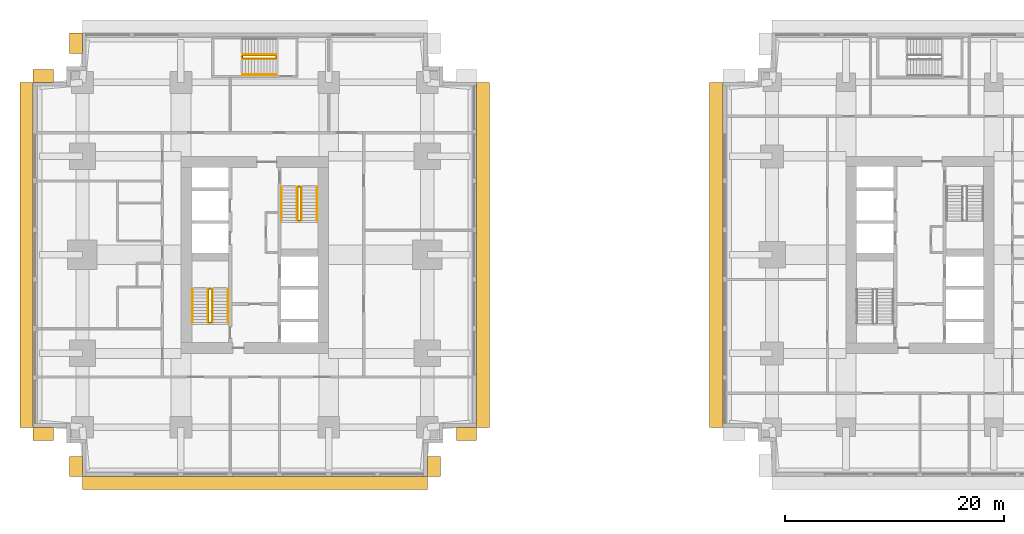
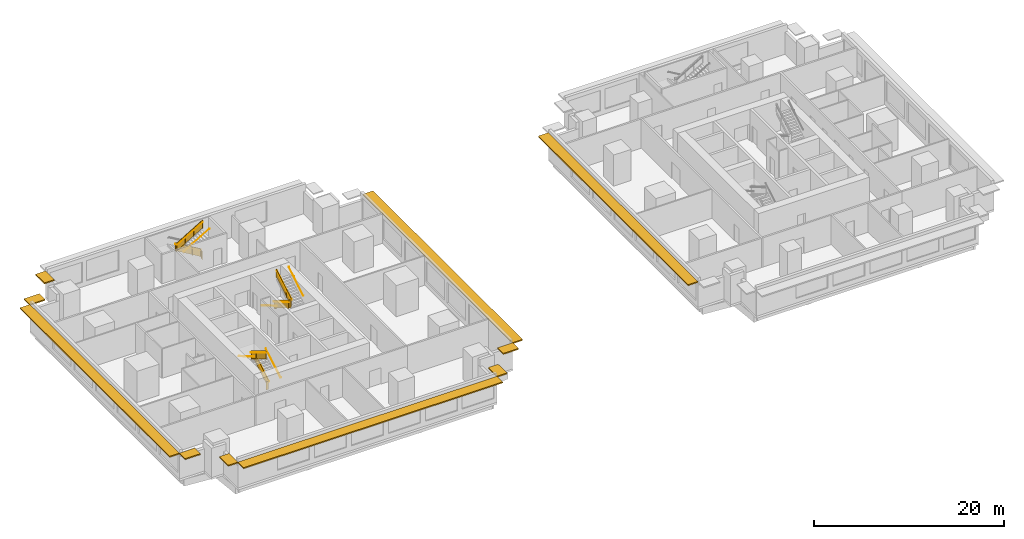
# One storey, part 9 of 11: 14 railings, 10 shading devices.
"""IFC4 building model written with IfcOpenShell, lengths in metres."""

import ifcopenshell
import ifcopenshell.guid

model = None  # the IFC model being written
_history = None  # IfcOwnerHistory: only IFC2X3 demands one
_inside = {}  # id of a spatial element -> (the spatial element, [elements in it])
_under = {}  # id of a project, library or spatial element -> (it, [spatial elements below it])
_declared = {}  # id of a project -> (the project, [libraries it declares])
_typed = {}  # id of a type object -> (the type object, [elements of that type])
_made_of = {}  # id of a material, layer set ... -> (it, [elements and type objects made of it])


def new_model(schema):
    """Start an empty IFC model of exactly this schema.

    Asked for "IFC4X3", IfcOpenShell would pick the latest addendum, in which some entities
    have other attributes; the version numbers below select the first issue.
    IFC2X3 requires an IfcOwnerHistory on every rooted entity: one is made here for all.
    """
    global model, _history
    if schema == "IFC4X3":
        model = ifcopenshell.file(schema_version=(4, 3, 0, 0))
    else:
        model = ifcopenshell.file(schema=schema)
    _inside.clear()
    _under.clear()
    _declared.clear()
    _typed.clear()
    _made_of.clear()
    _history = None
    if model.schema == "IFC2X3":
        org = make("IfcOrganization", Name="unknown")
        user = make(
            "IfcPersonAndOrganization",
            ThePerson=make("IfcPerson", FamilyName="unknown"),
            TheOrganization=org,
        )
        app = make(
            "IfcApplication",
            ApplicationDeveloper=org,
            Version="unknown",
            ApplicationFullName="unknown",
            ApplicationIdentifier="unknown",
        )
        _history = make(
            "IfcOwnerHistory",
            OwningUser=user,
            OwningApplication=app,
            ChangeAction="ADDED",
            CreationDate=0,
        )
    return model


def make(cls, **values):
    """One entity of the class cls with the attributes given. An attribute that is None is left unset."""
    return model.create_entity(
        cls, **{name: value for name, value in values.items() if value is not None}
    )


def rooted(cls, **values):
    """An entity with a GlobalId (a new one), such as an element, a storey or a relation."""
    return make(cls, GlobalId=ifcopenshell.guid.new(), OwnerHistory=_history, **values)


def si_unit(unit_type, name, prefix=None):
    """IfcSIUnit, for example si_unit("LENGTHUNIT", "METRE", prefix="MILLI")."""
    return make("IfcSIUnit", UnitType=unit_type, Prefix=prefix, Name=name)


def assignment(units):
    """IfcUnitAssignment: the units of a project."""
    return None if units is None else make("IfcUnitAssignment", Units=units)


def point(xyz):
    """IfcCartesianPoint."""
    return None if xyz is None else make("IfcCartesianPoint", Coordinates=xyz)


def direction(xyz):
    """IfcDirection."""
    return None if xyz is None else make("IfcDirection", DirectionRatios=xyz)


def frame(location, z_axis=None, x_axis=None):
    """IfcAxis2Placement3D, a coordinate frame: its origin and axes. An axis left out is left unset."""
    return make(
        "IfcAxis2Placement3D",
        Location=point(location),
        Axis=direction(z_axis),
        RefDirection=direction(x_axis),
    )


def frame_2d(location, x_axis=None):
    """IfcAxis2Placement2D, a coordinate frame in the plane: its origin and x axis."""
    return make(
        "IfcAxis2Placement2D", Location=point(location), RefDirection=direction(x_axis)
    )


def origin():
    """The frame at (0, 0, 0) with its axes left unset."""
    return frame((0.0, 0.0, 0.0))


def origin_2d():
    """The frame at (0, 0) in the plane with its x axis left unset."""
    return frame_2d((0.0, 0.0))


def place(relative_to, where):
    """IfcLocalPlacement: puts the frame where relative to a parent placement (None: the world)."""
    return make(
        "IfcLocalPlacement", PlacementRelTo=relative_to, RelativePlacement=where
    )


def context(
    kind, dimensions, precision=None, world=None, true_north=None, identifier=None
):
    """IfcGeometricRepresentationContext, for example the 3D "Model" context."""
    return make(
        "IfcGeometricRepresentationContext",
        ContextIdentifier=identifier,
        ContextType=kind,
        CoordinateSpaceDimension=dimensions,
        Precision=precision,
        WorldCoordinateSystem=world,
        TrueNorth=true_north,
    )


def subcontext(parent, identifier, kind, view, scale=None):
    """IfcGeometricRepresentationSubContext, for example "Body" below "Model"."""
    return make(
        "IfcGeometricRepresentationSubContext",
        ContextIdentifier=identifier,
        ContextType=kind,
        ParentContext=parent,
        TargetScale=scale,
        TargetView=view,
    )


def project(units=None, contexts=None):
    """IfcProject with its units and contexts."""
    return rooted(
        "IfcProject",
        Name="project",
        RepresentationContexts=contexts,
        UnitsInContext=assignment(units),
    )


def spatial(cls, under=None, at=None, **own):
    """A site, building, storey or space (cls), placed at a placement, below another one or the project."""
    s = rooted(cls, ObjectPlacement=at, **own)
    if under is not None:
        _under.setdefault(under.id(), (under, []))[1].append(s)
    return s


def polyline(points):
    """IfcPolyline through the points."""
    return make("IfcPolyline", Points=[point(p) for p in points])


def profile(cls, at=None, kind="AREA", **sizes):
    """A parametric profile (cls). Its sizes go by their IFC names, for example OverallWidth=200.0."""
    return make(cls, ProfileType=kind, Position=at, **sizes)


def rectangle(**sizes):
    """IfcRectangleProfileDef."""
    return profile("IfcRectangleProfileDef", **sizes)


def circle(**sizes):
    """IfcCircleProfileDef."""
    return profile("IfcCircleProfileDef", **sizes)


def outline(outer, holes=None, kind="AREA"):
    """IfcArbitraryClosedProfileDef: a profile drawn as a closed curve; with holes, ...WithVoids."""
    if holes is None:
        return make("IfcArbitraryClosedProfileDef", ProfileType=kind, OuterCurve=outer)
    return make(
        "IfcArbitraryProfileDefWithVoids",
        ProfileType=kind,
        OuterCurve=outer,
        InnerCurves=holes,
    )


def extrude(swept, where, along, depth):
    """IfcExtrudedAreaSolid: the profile swept, set in the frame where, extruded along a direction by depth."""
    return make(
        "IfcExtrudedAreaSolid",
        SweptArea=swept,
        Position=where,
        ExtrudedDirection=direction(along),
        Depth=depth,
    )


def shape(context_of_items, identifier, shape_type, items):
    """IfcShapeRepresentation: the items that make up one representation, for example the "Body"."""
    return make(
        "IfcShapeRepresentation",
        ContextOfItems=context_of_items,
        RepresentationIdentifier=identifier,
        RepresentationType=shape_type,
        Items=items,
    )


def material(Name=None, Category=None):
    """IfcMaterial."""
    return make("IfcMaterial", Name=Name, Category=Category)


def layer(
    of_material, thickness, ventilated=None, Name=None, Category=None, Priority=None
):
    """IfcMaterialLayer: one layer of a wall or slab, of a material (None: an air gap)."""
    return make(
        "IfcMaterialLayer",
        Material=of_material,
        LayerThickness=thickness,
        IsVentilated=ventilated,
        Name=Name,
        Category=Category,
        Priority=Priority,
    )


def layer_set(layers, Name=None):
    """IfcMaterialLayerSet."""
    return make("IfcMaterialLayerSet", MaterialLayers=layers, LayerSetName=Name)


def made_of(thing, what):
    """Note that an element or type object is made of a material, layer set ...; save() writes the relation."""
    if what is not None:
        _made_of.setdefault(what.id(), (what, []))[1].append(thing)
    return thing


def type_object(cls, material=None, **own):
    """A type object (cls), such as IfcWallType, which elements share."""
    return made_of(rooted(cls, **own), material)


def element(
    cls,
    number,
    at=None,
    inside=None,
    cuts=None,
    type_object=None,
    material=None,
    context=None,
    identifier="Body",
    shape_type=None,
    held_by="IfcProductDefinitionShape",
    body=None,
    shapes=None,
    **own,
):
    """One element of the class cls, such as IfcWall. Its Tag is "e" and its number.

    at: its placement. inside: the storey or other place that contains it. cuts: it is an
    opening in that element (IfcRelVoidsElement). A single representation is given by context,
    identifier, shape_type and body (its items); several are given by shapes. held_by: the class
    of the entity that holds the representations. save() writes the other relations.
    """
    e = rooted(cls, Tag="e%d" % number, ObjectPlacement=at, **own)
    if body is not None:
        shapes = [shape(context, identifier, shape_type, body)]
    if shapes is not None:
        e.Representation = make(held_by, Representations=shapes)
    if inside is not None:
        _inside.setdefault(inside.id(), (inside, []))[1].append(e)
    if cuts is not None:
        rooted(
            "IfcRelVoidsElement", RelatingBuildingElement=cuts, RelatedOpeningElement=e
        )
    if type_object is not None:
        _typed.setdefault(type_object.id(), (type_object, []))[1].append(e)
    return made_of(e, material)


def aggregate(whole, parts):
    """IfcRelAggregates: a whole, such as a stair, and the parts it consists of."""
    return rooted("IfcRelAggregates", RelatingObject=whole, RelatedObjects=parts)


def save(model, path):
    """Write the relations noted so far, then the file.

    IfcRelAggregates (storeys below a building ...), IfcRelContainedInSpatialStructure (elements
    in a storey), IfcRelDefinesByType, IfcRelAssociatesMaterial and IfcRelDeclares: one each for
    every whole, place, type object, material and project.
    """
    for whole, parts in _under.values():
        aggregate(whole, parts)
    for where, things in _inside.values():
        rooted(
            "IfcRelContainedInSpatialStructure",
            RelatedElements=things,
            RelatingStructure=where,
        )
    for kind, things in _typed.values():
        rooted("IfcRelDefinesByType", RelatedObjects=things, RelatingType=kind)
    for what, things in _made_of.values():
        rooted("IfcRelAssociatesMaterial", RelatedObjects=things, RelatingMaterial=what)
    for by, libraries in _declared.values():
        rooted("IfcRelDeclares", RelatingContext=by, RelatedDefinitions=libraries)
    model.write(path)


model = new_model("IFC4")

# Units and contexts
model_context = context("Model", 3, precision=1e-05, world=origin(), true_north=direction((0.0, 1.0)))
body_context = subcontext(model_context, "Body", "Model", "MODEL_VIEW")
ifc_project = project(units=[si_unit("LENGTHUNIT", "METRE"), si_unit("AREAUNIT", "SQUARE_METRE"), si_unit("VOLUMEUNIT", "CUBIC_METRE"), si_unit("PLANEANGLEUNIT", "RADIAN"), si_unit("MASSUNIT", "GRAM", prefix="KILO")], contexts=[model_context])

# Site, building, storey
site_placement = place(None, origin())
site = spatial("IfcSite", under=ifc_project, at=site_placement, CompositionType="ELEMENT")
building_placement = place(site_placement, origin())
building = spatial("IfcBuilding", under=site, at=building_placement, Name="Namib Vertical Campus", CompositionType="ELEMENT")
storey_placement = place(building_placement, frame((0.0, 0.0, 69.0)))
storey = spatial("IfcBuildingStorey", under=building, at=storey_placement, Name="L16", CompositionType="ELEMENT", Elevation=69.0)

# Railings
ifc_material_1 = material(Name="Steel handrail", Category="steel")
railing_type_1 = type_object("IfcRailingType", Name="Handrail 900", PredefinedType="HANDRAIL", material=ifc_material_1)
railing_1_placement = place(storey_placement, frame((17.800048828125, 14.050048828125, 0.166748046875)))
element("IfcRailing", 1, at=railing_1_placement, inside=storey, type_object=railing_type_1, Name="Handrail HR1 A-S1 L16 1", PredefinedType="HANDRAIL", context=body_context, shape_type="SweptSolid", body=[
    extrude(circle(Radius=0.02392578125, at=origin_2d()), frame((0.0, 0.0, 0.8759765625), z_axis=(0.0, 0.859290745958, 0.51148745235), x_axis=(-1.0, 0.0, 0.0)), (0.0, 0.0, 1.0), 3.584228515625),
    extrude(circle(Radius=0.008056640625, at=origin_2d()), frame((0.0, 0.0, 0.8759765625), z_axis=(1.0, 0.0, 0.0), x_axis=(0.0, 0.0, 1.0)), (0.0, 0.0, 1.0), 0.050048828125),
    extrude(circle(Radius=0.008056640625, at=origin_2d()), frame((0.0, 1.026611328125, 1.48681640625), z_axis=(1.0, 0.0, 0.0), x_axis=(0.0, 0.0, 1.0)), (0.0, 0.0, 1.0), 0.050048828125),
    extrude(circle(Radius=0.008056640625, at=origin_2d()), frame((0.0, 2.05322265625, 2.09814453125), z_axis=(1.0, 0.0, 0.0), x_axis=(0.0, 0.0, 1.0)), (0.0, 0.0, 1.0), 0.050048828125),
    extrude(circle(Radius=0.008056640625, at=origin_2d()), frame((0.0, 3.079833984375, 2.708984375), z_axis=(1.0, 0.0, 0.0), x_axis=(0.0, 0.0, 1.0)), (0.0, 0.0, 1.0), 0.050048828125),
])
railing_2_placement = place(storey_placement, frame((14.550048828125, 17.1298828125, 2.166748046875)))
element("IfcRailing", 2, at=railing_2_placement, inside=storey, type_object=railing_type_1, Name="Handrail HR1 A-S1 L16 2", PredefinedType="HANDRAIL", context=body_context, shape_type="SweptSolid", body=[
    extrude(circle(Radius=0.02392578125, at=origin_2d()), frame((0.0, 0.0, 0.8759765625), z_axis=(0.0, -0.859290745958, 0.51148745235), x_axis=(1.0, 0.0, 0.0)), (0.0, 0.0, 1.0), 3.584228515625),
    extrude(circle(Radius=0.008056640625, at=origin_2d()), frame((0.0, 0.0, 0.8759765625), z_axis=(-1.0, 0.0, 0.0), x_axis=(0.0, 0.0, 1.0)), (0.0, 0.0, 1.0), 0.050048828125),
    extrude(circle(Radius=0.008056640625, at=origin_2d()), frame((0.0, -1.026611328125, 1.48681640625), z_axis=(-1.0, 0.0, 0.0), x_axis=(0.0, 0.0, 1.0)), (0.0, 0.0, 1.0), 0.050048828125),
    extrude(circle(Radius=0.008056640625, at=origin_2d()), frame((0.0, -2.05322265625, 2.09814453125), z_axis=(-1.0, 0.0, 0.0), x_axis=(0.0, 0.0, 1.0)), (0.0, 0.0, 1.0), 0.050048828125),
    extrude(circle(Radius=0.008056640625, at=origin_2d()), frame((0.0, -3.079833984375, 2.708984375), z_axis=(-1.0, 0.0, 0.0), x_axis=(0.0, 0.0, 1.0)), (0.0, 0.0, 1.0), 0.050048828125),
])
railing_3_placement = place(storey_placement, frame((16.375, 14.050048828125, 0.166748046875)))
element("IfcRailing", 3, at=railing_3_placement, inside=storey, type_object=railing_type_1, Name="Handrail HR1 A-S1 L16 1 at the well", PredefinedType="HANDRAIL", context=body_context, shape_type="SweptSolid", body=[
    extrude(circle(Radius=0.02392578125, at=origin_2d()), frame((0.0, 0.0, 0.8759765625), z_axis=(0.0, 0.859290745958, 0.51148745235), x_axis=(-1.0, 0.0, 0.0)), (0.0, 0.0, 1.0), 3.584228515625),
    extrude(circle(Radius=0.008056640625, at=origin_2d()), frame((0.0, 0.0, 0.8759765625), z_axis=(-1.0, 0.0, 0.0), x_axis=(0.0, 0.0, 1.0)), (0.0, 0.0, 1.0), 0.0400390625),
    extrude(circle(Radius=0.008056640625, at=origin_2d()), frame((0.0, 1.026611328125, 1.48681640625), z_axis=(-1.0, 0.0, 0.0), x_axis=(0.0, 0.0, 1.0)), (0.0, 0.0, 1.0), 0.0400390625),
    extrude(circle(Radius=0.008056640625, at=origin_2d()), frame((0.0, 2.05322265625, 2.09814453125), z_axis=(-1.0, 0.0, 0.0), x_axis=(0.0, 0.0, 1.0)), (0.0, 0.0, 1.0), 0.0400390625),
    extrude(circle(Radius=0.008056640625, at=origin_2d()), frame((0.0, 3.079833984375, 2.708984375), z_axis=(-1.0, 0.0, 0.0), x_axis=(0.0, 0.0, 1.0)), (0.0, 0.0, 1.0), 0.0400390625),
])
railing_4_placement = place(storey_placement, frame((15.97509765625, 17.1298828125, 2.166748046875)))
element("IfcRailing", 4, at=railing_4_placement, inside=storey, type_object=railing_type_1, Name="Handrail HR1 A-S1 L16 2 at the well", PredefinedType="HANDRAIL", context=body_context, shape_type="SweptSolid", body=[
    extrude(circle(Radius=0.02392578125, at=origin_2d()), frame((0.0, 0.0, 0.8759765625), z_axis=(0.0, -0.859290745958, 0.51148745235), x_axis=(1.0, 0.0, 0.0)), (0.0, 0.0, 1.0), 3.584228515625),
    extrude(circle(Radius=0.008056640625, at=origin_2d()), frame((0.0, 0.0, 0.8759765625), z_axis=(1.0, 0.0, 0.0), x_axis=(0.0, 0.0, 1.0)), (0.0, 0.0, 1.0), 0.0400390625),
    extrude(circle(Radius=0.008056640625, at=origin_2d()), frame((0.0, -1.026611328125, 1.48681640625), z_axis=(1.0, 0.0, 0.0), x_axis=(0.0, 0.0, 1.0)), (0.0, 0.0, 1.0), 0.0400390625),
    extrude(circle(Radius=0.008056640625, at=origin_2d()), frame((0.0, -2.05322265625, 2.09814453125), z_axis=(1.0, 0.0, 0.0), x_axis=(0.0, 0.0, 1.0)), (0.0, 0.0, 1.0), 0.0400390625),
    extrude(circle(Radius=0.008056640625, at=origin_2d()), frame((0.0, -3.079833984375, 2.708984375), z_axis=(1.0, 0.0, 0.0), x_axis=(0.0, 0.0, 1.0)), (0.0, 0.0, 1.0), 0.0400390625),
])
railing_5_placement = place(storey_placement, frame((22.699951171875, 26.449951171875, 0.166748046875)))
element("IfcRailing", 5, at=railing_5_placement, inside=storey, type_object=railing_type_1, Name="Handrail HR1 A-S2 L16 1", PredefinedType="HANDRAIL", context=body_context, shape_type="SweptSolid", body=[
    extrude(circle(Radius=0.02392578125, at=origin_2d()), frame((0.0, 0.0, 0.8759765625), z_axis=(0.0, -0.859290745958, 0.51148745235), x_axis=(1.0, 0.0, 0.0)), (0.0, 0.0, 1.0), 3.584228515625),
    extrude(circle(Radius=0.008056640625, at=origin_2d()), frame((0.0, 0.0, 0.8759765625), z_axis=(-1.0, 0.0, 0.0), x_axis=(0.0, 0.0, 1.0)), (0.0, 0.0, 1.0), 0.050048828125),
    extrude(circle(Radius=0.008056640625, at=origin_2d()), frame((0.0, -1.026611328125, 1.48681640625), z_axis=(-1.0, 0.0, 0.0), x_axis=(0.0, 0.0, 1.0)), (0.0, 0.0, 1.0), 0.050048828125),
    extrude(circle(Radius=0.008056640625, at=origin_2d()), frame((0.0, -2.05322265625, 2.09814453125), z_axis=(-1.0, 0.0, 0.0), x_axis=(0.0, 0.0, 1.0)), (0.0, 0.0, 1.0), 0.050048828125),
    extrude(circle(Radius=0.008056640625, at=origin_2d()), frame((0.0, -3.079833984375, 2.708984375), z_axis=(-1.0, 0.0, 0.0), x_axis=(0.0, 0.0, 1.0)), (0.0, 0.0, 1.0), 0.050048828125),
])
railing_6_placement = place(storey_placement, frame((25.949951171875, 23.3701171875, 2.166748046875)))
element("IfcRailing", 6, at=railing_6_placement, inside=storey, type_object=railing_type_1, Name="Handrail HR1 A-S2 L16 2", PredefinedType="HANDRAIL", context=body_context, shape_type="SweptSolid", body=[
    extrude(circle(Radius=0.02392578125, at=origin_2d()), frame((0.0, 0.0, 0.8759765625), z_axis=(0.0, 0.859290745958, 0.51148745235), x_axis=(-1.0, 0.0, 0.0)), (0.0, 0.0, 1.0), 3.584228515625),
    extrude(circle(Radius=0.008056640625, at=origin_2d()), frame((0.0, 0.0, 0.8759765625), z_axis=(1.0, 0.0, 0.0), x_axis=(0.0, 0.0, 1.0)), (0.0, 0.0, 1.0), 0.050048828125),
    extrude(circle(Radius=0.008056640625, at=origin_2d()), frame((0.0, 1.026611328125, 1.48681640625), z_axis=(1.0, 0.0, 0.0), x_axis=(0.0, 0.0, 1.0)), (0.0, 0.0, 1.0), 0.050048828125),
    extrude(circle(Radius=0.008056640625, at=origin_2d()), frame((0.0, 2.05322265625, 2.09814453125), z_axis=(1.0, 0.0, 0.0), x_axis=(0.0, 0.0, 1.0)), (0.0, 0.0, 1.0), 0.050048828125),
    extrude(circle(Radius=0.008056640625, at=origin_2d()), frame((0.0, 3.079833984375, 2.708984375), z_axis=(1.0, 0.0, 0.0), x_axis=(0.0, 0.0, 1.0)), (0.0, 0.0, 1.0), 0.050048828125),
])
railing_7_placement = place(storey_placement, frame((24.125, 26.449951171875, 0.166748046875)))
element("IfcRailing", 7, at=railing_7_placement, inside=storey, type_object=railing_type_1, Name="Handrail HR1 A-S2 L16 1 at the well", PredefinedType="HANDRAIL", context=body_context, shape_type="SweptSolid", body=[
    extrude(circle(Radius=0.02392578125, at=origin_2d()), frame((0.0, 0.0, 0.8759765625), z_axis=(0.0, -0.859290745958, 0.51148745235), x_axis=(1.0, 0.0, 0.0)), (0.0, 0.0, 1.0), 3.584228515625),
    extrude(circle(Radius=0.008056640625, at=origin_2d()), frame((0.0, 0.0, 0.8759765625), z_axis=(1.0, 0.0, 0.0), x_axis=(0.0, 0.0, 1.0)), (0.0, 0.0, 1.0), 0.0400390625),
    extrude(circle(Radius=0.008056640625, at=origin_2d()), frame((0.0, -1.026611328125, 1.48681640625), z_axis=(1.0, 0.0, 0.0), x_axis=(0.0, 0.0, 1.0)), (0.0, 0.0, 1.0), 0.0400390625),
    extrude(circle(Radius=0.008056640625, at=origin_2d()), frame((0.0, -2.05322265625, 2.09814453125), z_axis=(1.0, 0.0, 0.0), x_axis=(0.0, 0.0, 1.0)), (0.0, 0.0, 1.0), 0.0400390625),
    extrude(circle(Radius=0.008056640625, at=origin_2d()), frame((0.0, -3.079833984375, 2.708984375), z_axis=(1.0, 0.0, 0.0), x_axis=(0.0, 0.0, 1.0)), (0.0, 0.0, 1.0), 0.0400390625),
])
railing_8_placement = place(storey_placement, frame((24.52490234375, 23.3701171875, 2.166748046875)))
element("IfcRailing", 8, at=railing_8_placement, inside=storey, type_object=railing_type_1, Name="Handrail HR1 A-S2 L16 2 at the well", PredefinedType="HANDRAIL", context=body_context, shape_type="SweptSolid", body=[
    extrude(circle(Radius=0.02392578125, at=origin_2d()), frame((0.0, 0.0, 0.8759765625), z_axis=(0.0, 0.859290745958, 0.51148745235), x_axis=(-1.0, 0.0, 0.0)), (0.0, 0.0, 1.0), 3.584228515625),
    extrude(circle(Radius=0.008056640625, at=origin_2d()), frame((0.0, 0.0, 0.8759765625), z_axis=(-1.0, 0.0, 0.0), x_axis=(0.0, 0.0, 1.0)), (0.0, 0.0, 1.0), 0.0400390625),
    extrude(circle(Radius=0.008056640625, at=origin_2d()), frame((0.0, 1.026611328125, 1.48681640625), z_axis=(-1.0, 0.0, 0.0), x_axis=(0.0, 0.0, 1.0)), (0.0, 0.0, 1.0), 0.0400390625),
    extrude(circle(Radius=0.008056640625, at=origin_2d()), frame((0.0, 2.05322265625, 2.09814453125), z_axis=(-1.0, 0.0, 0.0), x_axis=(0.0, 0.0, 1.0)), (0.0, 0.0, 1.0), 0.0400390625),
    extrude(circle(Radius=0.008056640625, at=origin_2d()), frame((0.0, 3.079833984375, 2.708984375), z_axis=(-1.0, 0.0, 0.0), x_axis=(0.0, 0.0, 1.0)), (0.0, 0.0, 1.0), 0.0400390625),
])
railing_9_placement = place(storey_placement, frame((19.1201171875, 36.699951171875, 2.166748046875)))
element("IfcRailing", 9, at=railing_9_placement, inside=storey, type_object=railing_type_1, Name="Handrail HR1 A-S3 L16 2", PredefinedType="HANDRAIL", context=body_context, shape_type="SweptSolid", body=[
    extrude(circle(Radius=0.02392578125, at=origin_2d()), frame((0.0, 0.0, 0.8759765625), z_axis=(0.859290745958, 0.0, 0.51148745235), x_axis=(0.0, 1.0, 0.0)), (0.0, 0.0, 1.0), 3.584228515625),
    extrude(circle(Radius=0.008056640625, at=origin_2d()), frame((0.0, 0.0, 0.8759765625), z_axis=(0.0, -1.0, 0.0), x_axis=(0.0, 0.0, 1.0)), (0.0, 0.0, 1.0), 0.050048828125),
    extrude(circle(Radius=0.008056640625, at=origin_2d()), frame((1.026611328125, 0.0, 1.48681640625), z_axis=(0.0, -1.0, 0.0), x_axis=(0.0, 0.0, 1.0)), (0.0, 0.0, 1.0), 0.050048828125),
    extrude(circle(Radius=0.008056640625, at=origin_2d()), frame((2.05322265625, 0.0, 2.09814453125), z_axis=(0.0, -1.0, 0.0), x_axis=(0.0, 0.0, 1.0)), (0.0, 0.0, 1.0), 0.050048828125),
    extrude(circle(Radius=0.008056640625, at=origin_2d()), frame((3.079833984375, 0.0, 2.708984375), z_axis=(0.0, -1.0, 0.0), x_axis=(0.0, 0.0, 1.0)), (0.0, 0.0, 1.0), 0.050048828125),
])
railing_10_placement = place(storey_placement, frame((22.199951171875, 38.52490234375, 0.166748046875)))
element("IfcRailing", 10, at=railing_10_placement, inside=storey, type_object=railing_type_1, Name="Handrail HR1 A-S3 L16 1 at the well", PredefinedType="HANDRAIL", context=body_context, shape_type="SweptSolid", body=[
    extrude(circle(Radius=0.02392578125, at=origin_2d()), frame((0.0, 0.0, 0.8759765625), z_axis=(-0.859290745958, 0.0, 0.51148745235), x_axis=(0.0, -1.0, 0.0)), (0.0, 0.0, 1.0), 3.584228515625),
    extrude(circle(Radius=0.008056640625, at=origin_2d()), frame((0.0, 0.0, 0.8759765625), z_axis=(0.0, -1.0, 0.0), x_axis=(0.0, 0.0, 1.0)), (0.0, 0.0, 1.0), 0.0400390625),
    extrude(circle(Radius=0.008056640625, at=origin_2d()), frame((-1.026611328125, 0.0, 1.48681640625), z_axis=(0.0, -1.0, 0.0), x_axis=(0.0, 0.0, 1.0)), (0.0, 0.0, 1.0), 0.0400390625),
    extrude(circle(Radius=0.008056640625, at=origin_2d()), frame((-2.05322265625, 0.0, 2.09814453125), z_axis=(0.0, -1.0, 0.0), x_axis=(0.0, 0.0, 1.0)), (0.0, 0.0, 1.0), 0.0400390625),
    extrude(circle(Radius=0.008056640625, at=origin_2d()), frame((-3.079833984375, 0.0, 2.708984375), z_axis=(0.0, -1.0, 0.0), x_axis=(0.0, 0.0, 1.0)), (0.0, 0.0, 1.0), 0.0400390625),
])
railing_11_placement = place(storey_placement, frame((19.1201171875, 38.125, 2.166748046875)))
element("IfcRailing", 11, at=railing_11_placement, inside=storey, type_object=railing_type_1, Name="Handrail HR1 A-S3 L16 2 at the well", PredefinedType="HANDRAIL", context=body_context, shape_type="SweptSolid", body=[
    extrude(circle(Radius=0.02392578125, at=origin_2d()), frame((0.0, 0.0, 0.8759765625), z_axis=(0.859290745958, 0.0, 0.51148745235), x_axis=(0.0, 1.0, 0.0)), (0.0, 0.0, 1.0), 3.584228515625),
    extrude(circle(Radius=0.008056640625, at=origin_2d()), frame((0.0, 0.0, 0.8759765625), z_axis=(0.0, 1.0, 0.0), x_axis=(0.0, 0.0, 1.0)), (0.0, 0.0, 1.0), 0.0400390625),
    extrude(circle(Radius=0.008056640625, at=origin_2d()), frame((1.026611328125, 0.0, 1.48681640625), z_axis=(0.0, 1.0, 0.0), x_axis=(0.0, 0.0, 1.0)), (0.0, 0.0, 1.0), 0.0400390625),
    extrude(circle(Radius=0.008056640625, at=origin_2d()), frame((2.05322265625, 0.0, 2.09814453125), z_axis=(0.0, 1.0, 0.0), x_axis=(0.0, 0.0, 1.0)), (0.0, 0.0, 1.0), 0.0400390625),
    extrude(circle(Radius=0.008056640625, at=origin_2d()), frame((3.079833984375, 0.0, 2.708984375), z_axis=(0.0, 1.0, 0.0), x_axis=(0.0, 0.0, 1.0)), (0.0, 0.0, 1.0), 0.0400390625),
])
ifc_material_2 = material(Name="Steel balustrade", Category="steel")
railing_type_2 = type_object("IfcRailingType", Name="Stair guard 1100", PredefinedType="GUARDRAIL", material=ifc_material_2)
railing_12_placement = place(storey_placement, frame((16.02490234375, 14.050048828125, 0.0)))
element("IfcRailing", 12, at=railing_12_placement, inside=storey, type_object=railing_type_2, Name="Stair guard GR1 A-S1 L16", PredefinedType="GUARDRAIL", context=body_context, shape_type="SweptSolid", body=[
    extrude(circle(Radius=0.02392578125, at=origin_2d()), frame((0.0, 0.0, 1.076171875), z_axis=(1.0, 0.0, 0.0), x_axis=(0.0, 1.0, 0.0)), (0.0, 0.0, 1.0), 0.300048828125),
    extrude(outline(polyline([(0.02099609375, 0.050048828125), (0.279052734375, 0.050048828125), (0.279052734375, 1.052001953125), (0.02099609375, 1.052001953125), (0.02099609375, 0.050048828125)])), frame((0.0, 0.010009765625, 0.0), z_axis=(0.0, -1.0, 0.0), x_axis=(1.0, 0.0, 0.0)), (0.0, 0.0, 1.0), 0.02001953125),
    extrude(circle(Radius=0.02392578125, at=origin_2d()), frame((0.300048828125, 0.0, 1.076171875), z_axis=(0.0, 0.0, 1.0), x_axis=(1.0, 0.0, 0.0)), (0.0, 0.0, 1.0), 0.166748046875),
    extrude(circle(Radius=0.02392578125, at=origin_2d()), frame((0.300048828125, 0.0, 1.24267578125), z_axis=(0.0, 0.859290745958, 0.51148745235), x_axis=(-1.0, 0.0, 0.0)), (0.0, 0.0, 1.0), 3.584228515625),
    extrude(outline(polyline([(0.02099609375, 0.0625), (3.058837890625, 1.870849609375), (3.058837890625, 2.872802734375), (0.02099609375, 1.064453125), (0.02099609375, 0.0625)])), frame((0.2900390625, 0.0, 0.166748046875), z_axis=(1.0, 0.0, 0.0), x_axis=(0.0, 1.0, 0.0)), (0.0, 0.0, 1.0), 0.02001953125),
    extrude(circle(Radius=0.02392578125, at=origin_2d()), frame((0.300048828125, 3.079833984375, 3.076171875), z_axis=(-1.0, 0.0, 0.0), x_axis=(0.0, -1.0, 0.0)), (0.0, 0.0, 1.0), 0.300048828125),
    extrude(outline(polyline([(0.02099609375, 0.050048828125), (0.279052734375, 0.050048828125), (0.279052734375, 1.052001953125), (0.02099609375, 1.052001953125), (0.02099609375, 0.050048828125)])), frame((0.300048828125, 3.06982421875, 2.0), z_axis=(0.0, 1.0, 0.0), x_axis=(-1.0, 0.0, 0.0)), (0.0, 0.0, 1.0), 0.02001953125),
    extrude(circle(Radius=0.02392578125, at=origin_2d()), frame((0.0, 3.079833984375, 3.076171875), z_axis=(0.0, 0.0, 1.0), x_axis=(1.0, 0.0, 0.0)), (0.0, 0.0, 1.0), 0.166748046875),
    extrude(circle(Radius=0.02392578125, at=origin_2d()), frame((0.0, 3.079833984375, 3.24267578125), z_axis=(0.0, -0.859290745958, 0.51148745235), x_axis=(1.0, 0.0, 0.0)), (0.0, 0.0, 1.0), 3.584228515625),
    extrude(outline(polyline([(0.02099609375, 0.0625), (3.058837890625, 1.870849609375), (3.058837890625, 2.872802734375), (0.02099609375, 1.064453125), (0.02099609375, 0.0625)])), frame((0.010009765625, 3.079833984375, 2.166748046875), z_axis=(-1.0, 0.0, 0.0), x_axis=(0.0, -1.0, 0.0)), (0.0, 0.0, 1.0), 0.02001953125),
    extrude(circle(Radius=0.02392578125, at=origin_2d()), frame((0.0, 0.0, 5.076171875), z_axis=(0.0, -1.0, 0.0), x_axis=(1.0, 0.0, 0.0)), (0.0, 0.0, 1.0), 0.050048828125),
    extrude(outline(polyline([(0.02099609375, 0.050048828125), (0.029052734375, 0.050048828125), (0.029052734375, 1.052001953125), (0.02099609375, 1.052001953125), (0.02099609375, 0.050048828125)])), frame((0.010009765625, 0.0, 4.0), z_axis=(-1.0, 0.0, 0.0), x_axis=(0.0, -1.0, 0.0)), (0.0, 0.0, 1.0), 0.02001953125),
    extrude(circle(Radius=0.02099609375, at=origin_2d()), origin(), (0.0, 0.0, 1.0), 1.052001953125),
    extrude(circle(Radius=0.02099609375, at=origin_2d()), frame((0.300048828125, 0.0, 0.166748046875)), (0.0, 0.0, 1.0), 1.052001953125),
    extrude(circle(Radius=0.02099609375, at=origin_2d()), frame((0.300048828125, 1.026611328125, 0.666748046875)), (0.0, 0.0, 1.0), 1.1630859375),
    extrude(circle(Radius=0.02099609375, at=origin_2d()), frame((0.300048828125, 2.05322265625, 1.33349609375)), (0.0, 0.0, 1.0), 1.107421875),
    extrude(circle(Radius=0.02099609375, at=origin_2d()), frame((0.300048828125, 3.079833984375, 2.0)), (0.0, 0.0, 1.0), 1.052001953125),
    extrude(circle(Radius=0.02099609375, at=origin_2d()), frame((0.0, 3.079833984375, 2.166748046875)), (0.0, 0.0, 1.0), 1.052001953125),
    extrude(circle(Radius=0.02099609375, at=origin_2d()), frame((0.0, 2.05322265625, 2.666748046875)), (0.0, 0.0, 1.0), 1.1630859375),
    extrude(circle(Radius=0.02099609375, at=origin_2d()), frame((0.0, 1.026611328125, 3.33349609375)), (0.0, 0.0, 1.0), 1.107421875),
    extrude(circle(Radius=0.02099609375, at=origin_2d()), frame((0.0, 0.0, 4.0)), (0.0, 0.0, 1.0), 1.052001953125),
    extrude(circle(Radius=0.02099609375, at=origin_2d()), frame((0.0, -0.050048828125, 4.0)), (0.0, 0.0, 1.0), 1.052001953125),
])
railing_13_placement = place(storey_placement, frame((24.47509765625, 26.449951171875, 0.0)))
element("IfcRailing", 13, at=railing_13_placement, inside=storey, type_object=railing_type_2, Name="Stair guard GR1 A-S2 L16", PredefinedType="GUARDRAIL", context=body_context, shape_type="SweptSolid", body=[
    extrude(circle(Radius=0.02392578125, at=origin_2d()), frame((0.0, 0.0, 1.076171875), z_axis=(-1.0, 0.0, 0.0), x_axis=(0.0, -1.0, 0.0)), (0.0, 0.0, 1.0), 0.300048828125),
    extrude(outline(polyline([(0.02099609375, 0.050048828125), (0.279052734375, 0.050048828125), (0.279052734375, 1.052001953125), (0.02099609375, 1.052001953125), (0.02099609375, 0.050048828125)])), frame((0.0, -0.010009765625, 0.0), z_axis=(0.0, 1.0, 0.0), x_axis=(-1.0, 0.0, 0.0)), (0.0, 0.0, 1.0), 0.02001953125),
    extrude(circle(Radius=0.02392578125, at=origin_2d()), frame((-0.300048828125, 0.0, 1.076171875), z_axis=(0.0, 0.0, 1.0), x_axis=(1.0, 0.0, 0.0)), (0.0, 0.0, 1.0), 0.166748046875),
    extrude(circle(Radius=0.02392578125, at=origin_2d()), frame((-0.300048828125, 0.0, 1.24267578125), z_axis=(0.0, -0.859290745958, 0.51148745235), x_axis=(1.0, 0.0, 0.0)), (0.0, 0.0, 1.0), 3.584228515625),
    extrude(outline(polyline([(0.02099609375, 0.0625), (3.058837890625, 1.870849609375), (3.058837890625, 2.872802734375), (0.02099609375, 1.064453125), (0.02099609375, 0.0625)])), frame((-0.2900390625, 0.0, 0.166748046875), z_axis=(-1.0, 0.0, 0.0), x_axis=(0.0, -1.0, 0.0)), (0.0, 0.0, 1.0), 0.02001953125),
    extrude(circle(Radius=0.02392578125, at=origin_2d()), frame((-0.300048828125, -3.079833984375, 3.076171875), z_axis=(1.0, 0.0, 0.0), x_axis=(0.0, 1.0, 0.0)), (0.0, 0.0, 1.0), 0.300048828125),
    extrude(outline(polyline([(0.02099609375, 0.050048828125), (0.279052734375, 0.050048828125), (0.279052734375, 1.052001953125), (0.02099609375, 1.052001953125), (0.02099609375, 0.050048828125)])), frame((-0.300048828125, -3.06982421875, 2.0), z_axis=(0.0, -1.0, 0.0), x_axis=(1.0, 0.0, 0.0)), (0.0, 0.0, 1.0), 0.02001953125),
    extrude(circle(Radius=0.02392578125, at=origin_2d()), frame((0.0, -3.079833984375, 3.076171875), z_axis=(0.0, 0.0, 1.0), x_axis=(1.0, 0.0, 0.0)), (0.0, 0.0, 1.0), 0.166748046875),
    extrude(circle(Radius=0.02392578125, at=origin_2d()), frame((0.0, -3.079833984375, 3.24267578125), z_axis=(0.0, 0.859290745958, 0.51148745235), x_axis=(-1.0, 0.0, 0.0)), (0.0, 0.0, 1.0), 3.584228515625),
    extrude(outline(polyline([(0.02099609375, 0.0625), (3.058837890625, 1.870849609375), (3.058837890625, 2.872802734375), (0.02099609375, 1.064453125), (0.02099609375, 0.0625)])), frame((-0.010009765625, -3.079833984375, 2.166748046875), z_axis=(1.0, 0.0, 0.0), x_axis=(0.0, 1.0, 0.0)), (0.0, 0.0, 1.0), 0.02001953125),
    extrude(circle(Radius=0.02392578125, at=origin_2d()), frame((0.0, 0.0, 5.076171875), z_axis=(0.0, 1.0, 0.0), x_axis=(-1.0, 0.0, 0.0)), (0.0, 0.0, 1.0), 0.050048828125),
    extrude(outline(polyline([(0.02099609375, 0.050048828125), (0.029052734375, 0.050048828125), (0.029052734375, 1.052001953125), (0.02099609375, 1.052001953125), (0.02099609375, 0.050048828125)])), frame((-0.010009765625, 0.0, 4.0), z_axis=(1.0, 0.0, 0.0), x_axis=(0.0, 1.0, 0.0)), (0.0, 0.0, 1.0), 0.02001953125),
    extrude(circle(Radius=0.02099609375, at=origin_2d()), origin(), (0.0, 0.0, 1.0), 1.052001953125),
    extrude(circle(Radius=0.02099609375, at=origin_2d()), frame((-0.300048828125, 0.0, 0.166748046875)), (0.0, 0.0, 1.0), 1.052001953125),
    extrude(circle(Radius=0.02099609375, at=origin_2d()), frame((-0.300048828125, -1.026611328125, 0.666748046875)), (0.0, 0.0, 1.0), 1.1630859375),
    extrude(circle(Radius=0.02099609375, at=origin_2d()), frame((-0.300048828125, -2.05322265625, 1.33349609375)), (0.0, 0.0, 1.0), 1.107421875),
    extrude(circle(Radius=0.02099609375, at=origin_2d()), frame((-0.300048828125, -3.079833984375, 2.0)), (0.0, 0.0, 1.0), 1.052001953125),
    extrude(circle(Radius=0.02099609375, at=origin_2d()), frame((0.0, -3.079833984375, 2.166748046875)), (0.0, 0.0, 1.0), 1.052001953125),
    extrude(circle(Radius=0.02099609375, at=origin_2d()), frame((0.0, -2.05322265625, 2.666748046875)), (0.0, 0.0, 1.0), 1.1630859375),
    extrude(circle(Radius=0.02099609375, at=origin_2d()), frame((0.0, -1.026611328125, 3.33349609375)), (0.0, 0.0, 1.0), 1.107421875),
    extrude(circle(Radius=0.02099609375, at=origin_2d()), frame((0.0, 0.0, 4.0)), (0.0, 0.0, 1.0), 1.052001953125),
    extrude(circle(Radius=0.02099609375, at=origin_2d()), frame((0.0, 0.050048828125, 4.0)), (0.0, 0.0, 1.0), 1.052001953125),
])
railing_14_placement = place(storey_placement, frame((22.199951171875, 38.175048828125, 0.0)))
element("IfcRailing", 14, at=railing_14_placement, inside=storey, type_object=railing_type_2, Name="Stair guard GR1 A-S3 L16", PredefinedType="GUARDRAIL", context=body_context, shape_type="SweptSolid", body=[
    extrude(circle(Radius=0.02392578125, at=origin_2d()), frame((0.0, 0.0, 1.076171875), z_axis=(0.0, 1.0, 0.0), x_axis=(-1.0, 0.0, 0.0)), (0.0, 0.0, 1.0), 0.300048828125),
    extrude(outline(polyline([(0.02099609375, 0.050048828125), (0.279052734375, 0.050048828125), (0.279052734375, 1.052001953125), (0.02099609375, 1.052001953125), (0.02099609375, 0.050048828125)])), frame((-0.010009765625, 0.0, 0.0), z_axis=(1.0, 0.0, 0.0), x_axis=(0.0, 1.0, 0.0)), (0.0, 0.0, 1.0), 0.02001953125),
    extrude(circle(Radius=0.02392578125, at=origin_2d()), frame((0.0, 0.300048828125, 1.076171875), z_axis=(0.0, 0.0, 1.0), x_axis=(1.0, 0.0, 0.0)), (0.0, 0.0, 1.0), 0.166748046875),
    extrude(circle(Radius=0.02392578125, at=origin_2d()), frame((0.0, 0.300048828125, 1.24267578125), z_axis=(-0.859290745958, 0.0, 0.51148745235), x_axis=(0.0, -1.0, 0.0)), (0.0, 0.0, 1.0), 3.584228515625),
    extrude(outline(polyline([(0.02099609375, 0.0625), (3.058837890625, 1.870849609375), (3.058837890625, 2.872802734375), (0.02099609375, 1.064453125), (0.02099609375, 0.0625)])), frame((0.0, 0.2900390625, 0.166748046875), z_axis=(0.0, 1.0, 0.0), x_axis=(-1.0, 0.0, 0.0)), (0.0, 0.0, 1.0), 0.02001953125),
    extrude(circle(Radius=0.02392578125, at=origin_2d()), frame((-3.079833984375, 0.300048828125, 3.076171875), z_axis=(0.0, -1.0, 0.0), x_axis=(1.0, 0.0, 0.0)), (0.0, 0.0, 1.0), 0.300048828125),
    extrude(outline(polyline([(0.02099609375, 0.050048828125), (0.279052734375, 0.050048828125), (0.279052734375, 1.052001953125), (0.02099609375, 1.052001953125), (0.02099609375, 0.050048828125)])), frame((-3.06982421875, 0.300048828125, 2.0), z_axis=(-1.0, 0.0, 0.0), x_axis=(0.0, -1.0, 0.0)), (0.0, 0.0, 1.0), 0.02001953125),
    extrude(circle(Radius=0.02392578125, at=origin_2d()), frame((-3.079833984375, 0.0, 3.076171875), z_axis=(0.0, 0.0, 1.0), x_axis=(1.0, 0.0, 0.0)), (0.0, 0.0, 1.0), 0.166748046875),
    extrude(circle(Radius=0.02392578125, at=origin_2d()), frame((-3.079833984375, 0.0, 3.24267578125), z_axis=(0.859290745958, 0.0, 0.51148745235), x_axis=(0.0, 1.0, 0.0)), (0.0, 0.0, 1.0), 3.584228515625),
    extrude(outline(polyline([(0.02099609375, 0.0625), (3.058837890625, 1.870849609375), (3.058837890625, 2.872802734375), (0.02099609375, 1.064453125), (0.02099609375, 0.0625)])), frame((-3.079833984375, 0.010009765625, 2.166748046875), z_axis=(0.0, -1.0, 0.0), x_axis=(1.0, 0.0, 0.0)), (0.0, 0.0, 1.0), 0.02001953125),
    extrude(circle(Radius=0.02392578125, at=origin_2d()), frame((0.0, 0.0, 5.076171875), z_axis=(1.0, 0.0, 0.0), x_axis=(0.0, 1.0, 0.0)), (0.0, 0.0, 1.0), 0.050048828125),
    extrude(outline(polyline([(0.02099609375, 0.050048828125), (0.029052734375, 0.050048828125), (0.029052734375, 1.052001953125), (0.02099609375, 1.052001953125), (0.02099609375, 0.050048828125)])), frame((0.0, 0.010009765625, 4.0), z_axis=(0.0, -1.0, 0.0), x_axis=(1.0, 0.0, 0.0)), (0.0, 0.0, 1.0), 0.02001953125),
    extrude(circle(Radius=0.02099609375, at=origin_2d()), origin(), (0.0, 0.0, 1.0), 1.052001953125),
    extrude(circle(Radius=0.02099609375, at=origin_2d()), frame((0.0, 0.300048828125, 0.166748046875)), (0.0, 0.0, 1.0), 1.052001953125),
    extrude(circle(Radius=0.02099609375, at=origin_2d()), frame((-1.026611328125, 0.300048828125, 0.666748046875)), (0.0, 0.0, 1.0), 1.1630859375),
    extrude(circle(Radius=0.02099609375, at=origin_2d()), frame((-2.05322265625, 0.300048828125, 1.33349609375)), (0.0, 0.0, 1.0), 1.107421875),
    extrude(circle(Radius=0.02099609375, at=origin_2d()), frame((-3.079833984375, 0.300048828125, 2.0)), (0.0, 0.0, 1.0), 1.052001953125),
    extrude(circle(Radius=0.02099609375, at=origin_2d()), frame((-3.079833984375, 0.0, 2.166748046875)), (0.0, 0.0, 1.0), 1.052001953125),
    extrude(circle(Radius=0.02099609375, at=origin_2d()), frame((-2.05322265625, 0.0, 2.666748046875)), (0.0, 0.0, 1.0), 1.1630859375),
    extrude(circle(Radius=0.02099609375, at=origin_2d()), frame((-1.026611328125, 0.0, 3.33349609375)), (0.0, 0.0, 1.0), 1.107421875),
    extrude(circle(Radius=0.02099609375, at=origin_2d()), frame((0.0, 0.0, 4.0)), (0.0, 0.0, 1.0), 1.052001953125),
    extrude(circle(Radius=0.02099609375, at=origin_2d()), frame((0.050048828125, 0.0, 4.0)), (0.0, 0.0, 1.0), 1.052001953125),
])

# Shading devices
ifc_material_3 = material(Name="Concrete C40/50 precast", Category="concrete")
ifc_layer = layer(ifc_material_3, 0.14990234375)
ifc_layer_set = layer_set([ifc_layer], Name="Concrete C40/50 precast")
shading_device_type = type_object("IfcShadingDeviceType", Name="Sunshade hood 1200", PredefinedType="SHUTTER", material=ifc_layer_set)
shading_device_1_placement = place(storey_placement, frame((20.25, -0.60009765625, 3.199951171875), z_axis=(0.0, 0.0, 1.0), x_axis=(1.0, 0.0, 0.0)))
element("IfcShadingDevice", 15, at=shading_device_1_placement, inside=storey, type_object=shading_device_type, Name="Sunshade SH2 L16 1", PredefinedType="SHUTTER", context=body_context, shape_type="SweptSolid", body=[
    extrude(rectangle(XDim=31.5, YDim=1.199951171875, at=origin_2d()), origin(), (0.0, 0.0, 1.0), 0.14990234375),
])
for number, where, z_axis, x_axis, name in (
    (16, (36.60009765625, 0.925048828125, 3.199951171875), (0.0, 0.0, 1.0), (0.0, 1.0, 0.0), "Sunshade SH2 L16 2"),
    (17, (39.574951171875, 3.89990234375, 3.199951171875), (0.0, 0.0, 1.0), (1.0, 0.0, 0.0), "Sunshade SH2 L16 5"),
):
    element("IfcShadingDevice", number, at=place(storey_placement, frame(where, z_axis=z_axis, x_axis=x_axis)), inside=storey, type_object=shading_device_type, Name=name, PredefinedType="SHUTTER", context=body_context, shape_type="SweptSolid", body=[
        extrude(rectangle(XDim=1.85009765625, YDim=1.199951171875, at=origin_2d()), origin(), (0.0, 0.0, 1.0), 0.14990234375),
    ])
shading_device_2_placement = place(storey_placement, frame((41.10009765625, 20.25, 3.199951171875), z_axis=(0.0, 0.0, 1.0), x_axis=(0.0, 1.0, 0.0)))
element("IfcShadingDevice", 18, at=shading_device_2_placement, inside=storey, type_object=shading_device_type, Name="Sunshade SH2 L16 6", PredefinedType="SHUTTER", context=body_context, shape_type="SweptSolid", body=[
    extrude(rectangle(XDim=31.5, YDim=1.199951171875, at=origin_2d()), origin(), (0.0, 0.0, 1.0), 0.14990234375),
])
for number, where, z_axis, x_axis, name in (
    (19, (3.89990234375, 39.574951171875, 3.199951171875), (0.0, 0.0, 1.0), (0.0, -1.0, 0.0), "Sunshade SH2 L16 12"),
    (20, (0.925048828125, 36.60009765625, 3.199951171875), (0.0, 0.0, 1.0), (-1.0, 0.0, 0.0), "Sunshade SH2 L16 15"),
):
    element("IfcShadingDevice", number, at=place(storey_placement, frame(where, z_axis=z_axis, x_axis=x_axis)), inside=storey, type_object=shading_device_type, Name=name, PredefinedType="SHUTTER", context=body_context, shape_type="SweptSolid", body=[
        extrude(rectangle(XDim=1.85009765625, YDim=1.199951171875, at=origin_2d()), origin(), (0.0, 0.0, 1.0), 0.14990234375),
    ])
shading_device_3_placement = place(storey_placement, frame((-0.60009765625, 20.25, 3.199951171875), z_axis=(0.0, 0.0, 1.0), x_axis=(0.0, -1.0, 0.0)))
element("IfcShadingDevice", 21, at=shading_device_3_placement, inside=storey, type_object=shading_device_type, Name="Sunshade SH2 L16 16", PredefinedType="SHUTTER", context=body_context, shape_type="SweptSolid", body=[
    extrude(rectangle(XDim=31.5, YDim=1.199951171875, at=origin_2d()), origin(), (0.0, 0.0, 1.0), 0.14990234375),
])
for number, where, z_axis, x_axis, name in (
    (22, (0.925048828125, 3.89990234375, 3.199951171875), (0.0, 0.0, 1.0), (1.0, 0.0, 0.0), "Sunshade SH2 L16 17"),
    (23, (3.89990234375, 0.925048828125, 3.199951171875), (0.0, 0.0, 1.0), (0.0, -1.0, 0.0), "Sunshade SH2 L16 20"),
):
    element("IfcShadingDevice", number, at=place(storey_placement, frame(where, z_axis=z_axis, x_axis=x_axis)), inside=storey, type_object=shading_device_type, Name=name, PredefinedType="SHUTTER", context=body_context, shape_type="SweptSolid", body=[
        extrude(rectangle(XDim=1.85009765625, YDim=1.199951171875, at=origin_2d()), origin(), (0.0, 0.0, 1.0), 0.14990234375),
    ])
shading_device_4_placement = place(storey_placement, frame((62.39990234375, 20.25, 3.199951171875), z_axis=(0.0, 0.0, 1.0), x_axis=(0.0, -1.0, 0.0)))
element("IfcShadingDevice", 24, at=shading_device_4_placement, inside=storey, type_object=shading_device_type, Name="Sunshade SH2 L16 16", PredefinedType="SHUTTER", context=body_context, shape_type="SweptSolid", body=[
    extrude(rectangle(XDim=31.5, YDim=1.199951171875, at=origin_2d()), origin(), (0.0, 0.0, 1.0), 0.14990234375),
])

save(model, "model.ifc")
